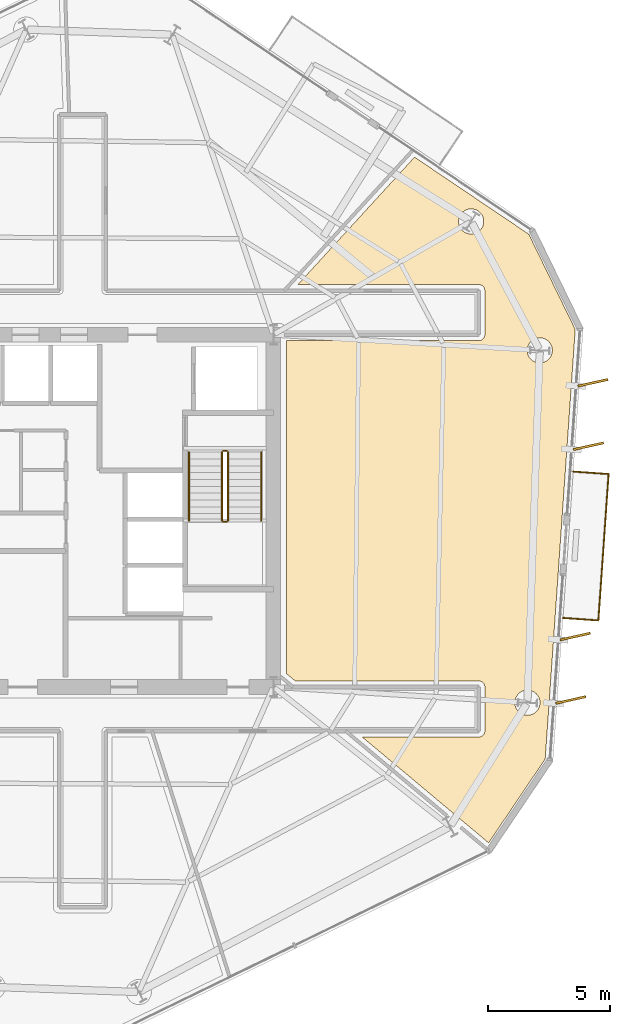
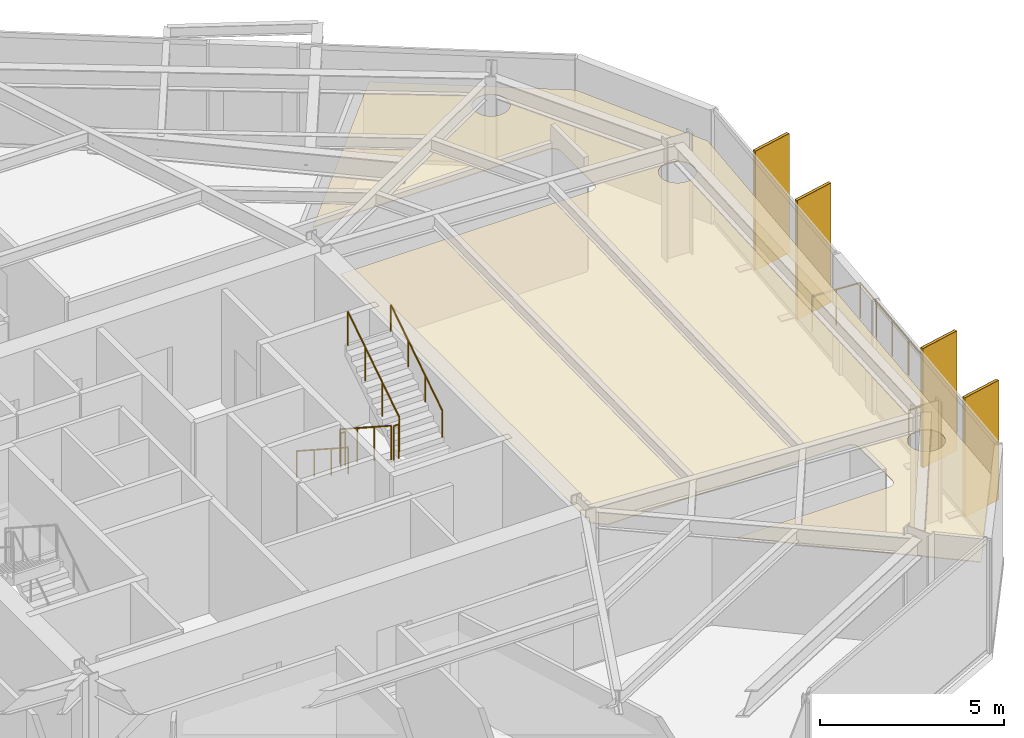
# One storey, part 13 of 14: 7 railings, 5 coverings, 4 shading devices.
"""IFC4 building model written with IfcOpenShell, lengths in metres."""

from ifc_helpers import new_model, si_unit, direction, frame, origin, origin_2d, place, context, subcontext, project, spatial, polyline, rectangle, circle, outline, extrude, material, layer, layer_set, type_object, element, save


model = new_model("IFC4")

# Units and contexts
model_context = context("Model", 3, precision=1e-05, world=origin(), true_north=direction((0.0, 1.0)))
body_context = subcontext(model_context, "Body", "Model", "MODEL_VIEW")
ifc_project = project(units=[si_unit("LENGTHUNIT", "METRE"), si_unit("AREAUNIT", "SQUARE_METRE"), si_unit("VOLUMEUNIT", "CUBIC_METRE"), si_unit("PLANEANGLEUNIT", "RADIAN"), si_unit("MASSUNIT", "GRAM", prefix="KILO")], contexts=[model_context])

# Site, building, storey
site_placement = place(None, origin())
site = spatial("IfcSite", under=ifc_project, at=site_placement, CompositionType="ELEMENT")
building_placement = place(site_placement, origin())
building = spatial("IfcBuilding", under=site, at=building_placement, Name="Kranzbogen Civic Tower", CompositionType="ELEMENT")
storey_placement = place(building_placement, frame((0.0, 0.0, 126.39990234375)))
storey = spatial("IfcBuildingStorey", under=building, at=storey_placement, Name="L30", CompositionType="ELEMENT", Elevation=126.39990234375)

# Coverings
ifc_material_1 = material(Name="Pale Anodised Aluminium", Category="aluminium")
ifc_layer_1 = layer(ifc_material_1, 0.02490234375, Name="Pale Anodised Aluminium")
ifc_layer_set_1 = layer_set([ifc_layer_1], Name="Pale Anodised Aluminium")
covering_type_1 = type_object("IfcCoveringType", Name="Anodised Aluminium Vertical Fin Cladding 25 mm", PredefinedType="CLADDING", material=ifc_layer_set_1)
for number, where, z_axis, x_axis, name in (
    (1, (44.9580078125, 17.264892578125, -0.139892578125), (0.0, 0.0, 1.0), (0.976529645679, 0.215383033477, 0.0), "L30 vertical fin pale-metal cladding F6-1"),
    (2, (45.139892578125, 19.85888671875, -0.139892578125), (0.0, 0.0, 1.0), (0.976529645679, 0.215383033477, 0.0), "L30 vertical fin pale-metal cladding F6-2"),
    (3, (45.68408203125, 27.639892578125, -0.139892578125), (0.0, 0.0, 1.0), (0.976529645679, 0.215383033477, 0.0), "L30 vertical fin pale-metal cladding F6-5"),
    (4, (45.865966796875, 30.23388671875, -0.139892578125), (0.0, 0.0, 1.0), (0.976529645679, 0.215383033477, 0.0), "L30 vertical fin pale-metal cladding F6-6"),
):
    element("IfcCovering", number, at=place(storey_placement, frame(where, z_axis=z_axis, x_axis=x_axis)), inside=storey, type_object=covering_type_1, Name=name, PredefinedType="CLADDING", context=body_context, shape_type="SweptSolid", body=[
        extrude(rectangle(XDim=1.25, YDim=0.10009765625, at=origin_2d()), origin(), (0.0, 0.0, 1.0), 3.9599609375),
    ])

# Shading devices
ifc_material_2 = material(Name="Anodised Bronze Aluminium", Category="aluminium")
shading_device_type = type_object("IfcShadingDeviceType", Name="Anodised Bronze Vertical Facade Fin 1250x80", PredefinedType="USERDEFINED", material=ifc_material_2)
for number, where, z_axis, x_axis, name in (
    (5, (44.9580078125, 17.264892578125, -0.139892578125), (0.0, 0.0, 1.0), (0.976529645679, 0.215383033477, 0.0), "L30 vertical exterior shading fin F6-1"),
    (6, (45.139892578125, 19.85888671875, -0.139892578125), (0.0, 0.0, 1.0), (0.976529645679, 0.215383033477, 0.0), "L30 vertical exterior shading fin F6-2"),
    (7, (45.68408203125, 27.639892578125, -0.139892578125), (0.0, 0.0, 1.0), (0.976529645679, 0.215383033477, 0.0), "L30 vertical exterior shading fin F6-5"),
    (8, (45.865966796875, 30.23388671875, -0.139892578125), (0.0, 0.0, 1.0), (0.976529645679, 0.215383033477, 0.0), "L30 vertical exterior shading fin F6-6"),
):
    element("IfcShadingDevice", number, at=place(storey_placement, frame(where, z_axis=z_axis, x_axis=x_axis)), inside=storey, type_object=shading_device_type, Name=name, ObjectType="FIN", PredefinedType="USERDEFINED", context=body_context, shape_type="SweptSolid", body=[
        extrude(rectangle(XDim=1.25, YDim=0.080078125, at=origin_2d()), origin(), (0.0, 0.0, 1.0), 3.9599609375),
    ])

# Railings
railing_type_1 = type_object("IfcRailingType", Name="Cantilevered Balcony Glass and Bronze Balustrade 1200", PredefinedType="BALUSTRADE", material=ifc_material_2)
railing_1_placement = place(storey_placement, frame((44.64208984375, 20.618896484375, 0.0)))
element("IfcRailing", 9, at=railing_1_placement, inside=storey, type_object=railing_type_1, Name="L30 exterior terrace balustrade L30-TB2", PredefinedType="BALUSTRADE", context=body_context, shape_type="SweptSolid", body=[
    extrude(circle(Radius=0.02392578125, at=origin_2d()), frame((0.0, 0.0, 1.17578125), z_axis=(0.997577004396, -0.06957097312, 0.0), x_axis=(0.06957097312, 0.997577004396, 0.0)), (0.0, 0.0, 1.0), 1.44921875),
    extrude(circle(Radius=0.02392578125, at=origin_2d()), frame((1.44580078125, -0.100830078125, 1.17578125), z_axis=(0.069859089027, 0.997556869397, 0.0), x_axis=(-0.997556869397, 0.069859089027, 0.0)), (0.0, 0.0, 1.0), 6.00048828125),
    extrude(circle(Radius=0.02392578125, at=origin_2d()), frame((1.864990234375, 5.885009765625, 1.17578125), z_axis=(-0.997566118474, 0.069726890604, 0.0), x_axis=(-0.069726890604, -0.997566118474, 0.0)), (0.0, 0.0, 1.0), 1.449462890625),
    extrude(circle(Radius=0.02099609375, at=origin_2d()), origin(), (0.0, 0.0, 1.0), 1.15185546875),
    extrude(circle(Radius=0.02099609375, at=origin_2d()), frame((0.722900390625, -0.05029296875, 0.0)), (0.0, 0.0, 1.0), 1.15185546875),
    extrude(circle(Radius=0.02099609375, at=origin_2d()), frame((1.44580078125, -0.100830078125, 0.0)), (0.0, 0.0, 1.0), 1.15185546875),
    extrude(circle(Radius=0.02099609375, at=origin_2d()), frame((1.515625, 0.896728515625, 0.0)), (0.0, 0.0, 1.0), 1.15185546875),
    extrude(circle(Radius=0.02099609375, at=origin_2d()), frame((1.58544921875, 1.89453125, 0.0)), (0.0, 0.0, 1.0), 1.15185546875),
    extrude(circle(Radius=0.02099609375, at=origin_2d()), frame((1.6552734375, 2.89208984375, 0.0)), (0.0, 0.0, 1.0), 1.15185546875),
    extrude(circle(Radius=0.02099609375, at=origin_2d()), frame((1.725341796875, 3.8896484375, 0.0)), (0.0, 0.0, 1.0), 1.15185546875),
    extrude(circle(Radius=0.02099609375, at=origin_2d()), frame((1.795166015625, 4.887451171875, 0.0)), (0.0, 0.0, 1.0), 1.15185546875),
    extrude(circle(Radius=0.02099609375, at=origin_2d()), frame((1.864990234375, 5.885009765625, 0.0)), (0.0, 0.0, 1.0), 1.15185546875),
    extrude(circle(Radius=0.02099609375, at=origin_2d()), frame((1.14208984375, 5.935546875, 0.0)), (0.0, 0.0, 1.0), 1.15185546875),
    extrude(circle(Radius=0.02099609375, at=origin_2d()), frame((0.4189453125, 5.986083984375, 0.0)), (0.0, 0.0, 1.0), 1.15185546875),
])
ifc_material_3 = material(Name="Steel S355", Category="steel")
railing_type_2 = type_object("IfcRailingType", Name="Internal Stair and Void Steel Guardrail 1150", PredefinedType="GUARDRAIL", material=ifc_material_3)
railing_2_placement = place(storey_placement, frame((30.699951171875, 27.39990234375, 0.181884765625)))
element("IfcRailing", 10, at=railing_2_placement, inside=storey, type_object=railing_type_2, Name="L30 ST-T2 stair guard 1", PredefinedType="GUARDRAIL", context=body_context, shape_type="SweptSolid", body=[
    extrude(circle(Radius=0.02392578125, at=origin_2d()), frame((0.0, 0.0, 1.1259765625), z_axis=(0.0, -0.83868413941, 0.544618136222), x_axis=(1.0, 0.0, 0.0)), (0.0, 0.0, 1.0), 3.33837890625),
    extrude(circle(Radius=0.02099609375, at=origin_2d()), origin(), (0.0, 0.0, 1.0), 1.101806640625),
    extrude(circle(Radius=0.02099609375, at=origin_2d()), frame((0.0, -0.933349609375, 0.60595703125)), (0.0, 0.0, 1.0), 1.101806640625),
    extrude(circle(Radius=0.02099609375, at=origin_2d()), frame((0.0, -1.866455078125, 1.212158203125)), (0.0, 0.0, 1.0), 1.101806640625),
    extrude(circle(Radius=0.02099609375, at=origin_2d()), frame((0.0, -2.7998046875, 1.818115234375)), (0.0, 0.0, 1.0), 1.101806640625),
])
railing_3_placement = place(storey_placement, frame((30.75, 24.550048828125, 2.0)))
element("IfcRailing", 11, at=railing_3_placement, inside=storey, type_object=railing_type_2, Name="L30 ST-T2 stair guard 2", PredefinedType="GUARDRAIL", context=body_context, shape_type="SweptSolid", body=[
    extrude(circle(Radius=0.02392578125, at=origin_2d()), frame((0.0, 0.0, 1.1259765625), z_axis=(1.0, 0.0, 0.0), x_axis=(0.0, 1.0, 0.0)), (0.0, 0.0, 1.0), 0.14990234375),
    extrude(circle(Radius=0.02099609375, at=origin_2d()), origin(), (0.0, 0.0, 1.0), 1.101806640625),
    extrude(circle(Radius=0.02099609375, at=origin_2d()), frame((0.14990234375, 0.0, 0.0)), (0.0, 0.0, 1.0), 1.101806640625),
])
railing_4_placement = place(storey_placement, frame((30.949951171875, 24.60009765625, 2.181884765625)))
element("IfcRailing", 12, at=railing_4_placement, inside=storey, type_object=railing_type_2, Name="L30 ST-T2 stair guard 3", PredefinedType="GUARDRAIL", context=body_context, shape_type="SweptSolid", body=[
    extrude(circle(Radius=0.02392578125, at=origin_2d()), frame((0.0, 0.0, 1.1259765625), z_axis=(0.0, 0.83868413941, 0.544618136222), x_axis=(-1.0, 0.0, 0.0)), (0.0, 0.0, 1.0), 3.33837890625),
    extrude(circle(Radius=0.02099609375, at=origin_2d()), origin(), (0.0, 0.0, 1.0), 1.101806640625),
    extrude(circle(Radius=0.02099609375, at=origin_2d()), frame((0.0, 0.933349609375, 0.60595703125)), (0.0, 0.0, 1.0), 1.101806640625),
    extrude(circle(Radius=0.02099609375, at=origin_2d()), frame((0.0, 1.866455078125, 1.212158203125)), (0.0, 0.0, 1.0), 1.101806640625),
    extrude(circle(Radius=0.02099609375, at=origin_2d()), frame((0.0, 2.7998046875, 1.818115234375)), (0.0, 0.0, 1.0), 1.101806640625),
])
railing_5_placement = place(storey_placement, frame((30.75, 27.449951171875, 0.0)))
element("IfcRailing", 13, at=railing_5_placement, inside=storey, type_object=railing_type_2, Name="L30 ST-T2 stair guard 4", PredefinedType="GUARDRAIL", context=body_context, shape_type="SweptSolid", body=[
    extrude(circle(Radius=0.02392578125, at=origin_2d()), frame((0.0, 0.0, 1.1259765625), z_axis=(1.0, 0.0, 0.0), x_axis=(0.0, 1.0, 0.0)), (0.0, 0.0, 1.0), 0.14990234375),
    extrude(circle(Radius=0.02099609375, at=origin_2d()), origin(), (0.0, 0.0, 1.0), 1.101806640625),
    extrude(circle(Radius=0.02099609375, at=origin_2d()), frame((0.14990234375, 0.0, 0.0)), (0.0, 0.0, 1.0), 1.101806640625),
])

# Covering
ifc_material_4 = material(Name="Perforated Acoustic Gypsum Ceiling")
ifc_layer_2 = layer(ifc_material_4, 0.02490234375, Name="Perforated Acoustic Gypsum Ceiling")
ifc_layer_set_2 = layer_set([ifc_layer_2], Name="Perforated Acoustic Gypsum Ceiling")
covering_type_2 = type_object("IfcCoveringType", Name="Perforated Acoustic Mineral Ceiling Tile 25 mm", PredefinedType="CEILING", material=ifc_layer_set_2)
covering_placement = place(storey_placement, frame((0.0, 0.0, 2.75)))
element("IfcCovering", 14, at=covering_placement, inside=storey, type_object=covering_type_2, Name="L30 Staff Tea Pantry acoustic ceiling", PredefinedType="CEILING", context=body_context, shape_type="SweptSolid", body=[
    extrude(outline(polyline([(41.60205078125, 11.426025390625), (40.427001953125, 12.408935546875), (40.4208984375, 12.41796875), (40.386962890625, 12.4560546875), (40.34912109375, 12.489990234375), (40.30908203125, 12.52001953125), (40.264892578125, 12.5458984375), (40.262939453125, 12.547119140625), (36.428955078125, 15.7548828125), (41.199951171875, 15.7548828125), (41.208984375, 15.7548828125), (41.215087890625, 15.756103515625), (41.23291015625, 15.757080078125), (41.239013671875, 15.758056640625), (41.256103515625, 15.761962890625), (41.262939453125, 15.762939453125), (41.280029296875, 15.76806640625), (41.285888671875, 15.77001953125), (41.302001953125, 15.777099609375), (41.30810546875, 15.780029296875), (41.322998046875, 15.7880859375), (41.3291015625, 15.7919921875), (41.343017578125, 15.801025390625), (41.347900390625, 15.804931640625), (41.362060546875, 15.81591796875), (41.366943359375, 15.821044921875), (41.37890625, 15.8330078125), (41.384033203125, 15.837890625), (41.39501953125, 15.85205078125), (41.39892578125, 15.85693359375), (41.407958984375, 15.87109375), (41.412109375, 15.876953125), (41.419921875, 15.89208984375), (41.423095703125, 15.89794921875), (41.429931640625, 15.9140625), (41.431884765625, 15.919921875), (41.43701171875, 15.93701171875), (41.43798828125, 15.944091796875), (41.44189453125, 15.9609375), (41.443115234375, 15.967041015625), (41.444091796875, 15.985107421875), (41.445068359375, 15.990966796875), (41.445068359375, 16.0), (41.445068359375, 17.800048828125), (41.445068359375, 17.80908203125), (41.444091796875, 17.81494140625), (41.443115234375, 17.8330078125), (41.44189453125, 17.839111328125), (41.43798828125, 17.85595703125), (41.43701171875, 17.863037109375), (41.431884765625, 17.8798828125), (41.429931640625, 17.885986328125), (41.423095703125, 17.902099609375), (41.419921875, 17.907958984375), (41.412109375, 17.923095703125), (41.407958984375, 17.928955078125), (41.39892578125, 17.943115234375), (41.39501953125, 17.947998046875), (41.384033203125, 17.9619140625), (41.37890625, 17.967041015625), (41.366943359375, 17.97900390625), (41.362060546875, 17.98388671875), (41.347900390625, 17.9951171875), (41.343017578125, 17.9990234375), (41.3291015625, 18.008056640625), (41.322998046875, 18.011962890625), (41.30810546875, 18.02001953125), (41.302001953125, 18.02294921875), (41.285888671875, 18.030029296875), (41.280029296875, 18.031982421875), (41.262939453125, 18.037109375), (41.256103515625, 18.0380859375), (41.239013671875, 18.0419921875), (41.23291015625, 18.04296875), (41.215087890625, 18.0439453125), (41.208984375, 18.044921875), (41.199951171875, 18.044921875), (33.693115234375, 18.044921875), (33.344970703125, 18.3359375), (33.344970703125, 31.955078125), (41.199951171875, 31.955078125), (41.208984375, 31.955078125), (41.215087890625, 31.9560546875), (41.23291015625, 31.95703125), (41.239013671875, 31.9580078125), (41.256103515625, 31.9619140625), (41.262939453125, 31.962890625), (41.280029296875, 31.968017578125), (41.285888671875, 31.969970703125), (41.302001953125, 31.97705078125), (41.30810546875, 31.97998046875), (41.322998046875, 31.988037109375), (41.3291015625, 31.991943359375), (41.343017578125, 32.0009765625), (41.347900390625, 32.0048828125), (41.362060546875, 32.01611328125), (41.366943359375, 32.02099609375), (41.37890625, 32.032958984375), (41.384033203125, 32.0380859375), (41.39501953125, 32.052001953125), (41.39892578125, 32.056884765625), (41.407958984375, 32.071044921875), (41.412109375, 32.076904296875), (41.419921875, 32.092041015625), (41.423095703125, 32.097900390625), (41.429931640625, 32.114013671875), (41.431884765625, 32.1201171875), (41.43701171875, 32.136962890625), (41.43798828125, 32.14404296875), (41.44189453125, 32.160888671875), (41.443115234375, 32.1669921875), (41.444091796875, 32.18505859375), (41.445068359375, 32.19091796875), (41.445068359375, 32.199951171875), (41.445068359375, 34.0), (41.445068359375, 34.009033203125), (41.444091796875, 34.014892578125), (41.443115234375, 34.032958984375), (41.44189453125, 34.0390625), (41.43798828125, 34.055908203125), (41.43701171875, 34.06298828125), (41.431884765625, 34.080078125), (41.429931640625, 34.0859375), (41.423095703125, 34.10205078125), (41.419921875, 34.10791015625), (41.412109375, 34.123046875), (41.407958984375, 34.12890625), (41.39892578125, 34.14306640625), (41.39501953125, 34.14794921875), (41.384033203125, 34.162109375), (41.37890625, 34.1669921875), (41.366943359375, 34.178955078125), (41.362060546875, 34.18408203125), (41.347900390625, 34.195068359375), (41.343017578125, 34.198974609375), (41.3291015625, 34.2080078125), (41.322998046875, 34.2119140625), (41.30810546875, 34.219970703125), (41.302001953125, 34.222900390625), (41.285888671875, 34.22998046875), (41.280029296875, 34.23193359375), (41.262939453125, 34.237060546875), (41.256103515625, 34.238037109375), (41.239013671875, 34.241943359375), (41.23291015625, 34.242919921875), (41.215087890625, 34.243896484375), (41.208984375, 34.2451171875), (41.199951171875, 34.2451171875), (33.800048828125, 34.2451171875), (38.572998046875, 39.45703125), (43.2451171875, 36.304931640625), (45.14208984375, 32.4169921875), (43.9130859375, 14.85205078125), (41.60205078125, 11.426025390625)]), holes=[polyline([(43.662109375, 16.958984375), (43.64111328125, 16.9140625), (43.614990234375, 16.8701171875), (43.5849609375, 16.830078125), (43.551025390625, 16.7919921875), (43.512939453125, 16.758056640625), (43.472900390625, 16.72802734375), (43.428955078125, 16.701904296875), (43.384033203125, 16.680908203125), (43.3359375, 16.6640625), (43.287109375, 16.652099609375), (43.237060546875, 16.64404296875), (43.18701171875, 16.64208984375), (43.136962890625, 16.64404296875), (43.0869140625, 16.652099609375), (43.0380859375, 16.6640625), (42.989990234375, 16.680908203125), (42.945068359375, 16.701904296875), (42.90087890625, 16.72802734375), (42.861083984375, 16.758056640625), (42.822998046875, 16.7919921875), (42.7890625, 16.830078125), (42.759033203125, 16.8701171875), (42.73291015625, 16.9140625), (42.7119140625, 16.958984375), (42.695068359375, 17.007080078125), (42.68310546875, 17.055908203125), (42.675048828125, 17.10595703125), (42.673095703125, 17.156005859375), (42.675048828125, 17.2060546875), (42.68310546875, 17.256103515625), (42.695068359375, 17.304931640625), (42.7119140625, 17.35302734375), (42.73291015625, 17.39794921875), (42.759033203125, 17.44189453125), (42.7890625, 17.48193359375), (42.822998046875, 17.52001953125), (42.861083984375, 17.553955078125), (42.90087890625, 17.583984375), (42.945068359375, 17.610107421875), (42.989990234375, 17.631103515625), (43.0380859375, 17.64794921875), (43.0869140625, 17.659912109375), (43.136962890625, 17.66796875), (43.18701171875, 17.669921875), (43.237060546875, 17.66796875), (43.287109375, 17.659912109375), (43.3359375, 17.64794921875), (43.384033203125, 17.631103515625), (43.428955078125, 17.610107421875), (43.472900390625, 17.583984375), (43.512939453125, 17.553955078125), (43.551025390625, 17.52001953125), (43.5849609375, 17.48193359375), (43.614990234375, 17.44189453125), (43.64111328125, 17.39794921875), (43.662109375, 17.35302734375), (43.678955078125, 17.304931640625), (43.69091796875, 17.256103515625), (43.698974609375, 17.2060546875), (43.700927734375, 17.156005859375), (43.698974609375, 17.10595703125), (43.69091796875, 17.055908203125), (43.678955078125, 17.007080078125), (43.662109375, 16.958984375)]), polyline([(44.1650390625, 31.35888671875), (44.14404296875, 31.31396484375), (44.117919921875, 31.27001953125), (44.087890625, 31.22998046875), (44.053955078125, 31.19189453125), (44.01611328125, 31.157958984375), (43.97607421875, 31.1279296875), (43.931884765625, 31.10205078125), (43.886962890625, 31.0810546875), (43.839111328125, 31.06396484375), (43.7900390625, 31.052001953125), (43.739990234375, 31.0439453125), (43.68994140625, 31.0419921875), (43.639892578125, 31.0439453125), (43.590087890625, 31.052001953125), (43.541015625, 31.06396484375), (43.492919921875, 31.0810546875), (43.447998046875, 31.10205078125), (43.404052734375, 31.1279296875), (43.364013671875, 31.157958984375), (43.325927734375, 31.19189453125), (43.2919921875, 31.22998046875), (43.261962890625, 31.27001953125), (43.236083984375, 31.31396484375), (43.215087890625, 31.35888671875), (43.197998046875, 31.406982421875), (43.18603515625, 31.4560546875), (43.177978515625, 31.506103515625), (43.176025390625, 31.555908203125), (43.177978515625, 31.60595703125), (43.18603515625, 31.656005859375), (43.197998046875, 31.705078125), (43.215087890625, 31.7529296875), (43.236083984375, 31.798095703125), (43.261962890625, 31.842041015625), (43.2919921875, 31.882080078125), (43.325927734375, 31.919921875), (43.364013671875, 31.9541015625), (43.404052734375, 31.98388671875), (43.447998046875, 32.010009765625), (43.492919921875, 32.031005859375), (43.541015625, 32.048095703125), (43.590087890625, 32.06005859375), (43.639892578125, 32.068115234375), (43.68994140625, 32.070068359375), (43.739990234375, 32.068115234375), (43.7900390625, 32.06005859375), (43.839111328125, 32.048095703125), (43.886962890625, 32.031005859375), (43.931884765625, 32.010009765625), (43.97607421875, 31.98388671875), (44.01611328125, 31.9541015625), (44.053955078125, 31.919921875), (44.087890625, 31.882080078125), (44.117919921875, 31.842041015625), (44.14404296875, 31.798095703125), (44.1650390625, 31.7529296875), (44.181884765625, 31.705078125), (44.194091796875, 31.656005859375), (44.201904296875, 31.60595703125), (44.2041015625, 31.555908203125), (44.201904296875, 31.506103515625), (44.194091796875, 31.4560546875), (44.181884765625, 31.406982421875), (44.1650390625, 31.35888671875)]), polyline([(41.361083984375, 36.632080078125), (41.340087890625, 36.5869140625), (41.31396484375, 36.54296875), (41.283935546875, 36.5029296875), (41.25, 36.465087890625), (41.2119140625, 36.430908203125), (41.172119140625, 36.40087890625), (41.1279296875, 36.375), (41.0830078125, 36.35400390625), (41.034912109375, 36.3369140625), (40.986083984375, 36.324951171875), (40.93603515625, 36.31689453125), (40.885986328125, 36.31494140625), (40.8359375, 36.31689453125), (40.785888671875, 36.324951171875), (40.737060546875, 36.3369140625), (40.68896484375, 36.35400390625), (40.64404296875, 36.375), (40.60009765625, 36.40087890625), (40.56005859375, 36.430908203125), (40.52197265625, 36.465087890625), (40.488037109375, 36.5029296875), (40.4580078125, 36.54296875), (40.431884765625, 36.5869140625), (40.410888671875, 36.632080078125), (40.39404296875, 36.679931640625), (40.382080078125, 36.72900390625), (40.3740234375, 36.779052734375), (40.3720703125, 36.8291015625), (40.3740234375, 36.87890625), (40.382080078125, 36.928955078125), (40.39404296875, 36.97802734375), (40.410888671875, 37.02587890625), (40.431884765625, 37.071044921875), (40.4580078125, 37.114990234375), (40.488037109375, 37.155029296875), (40.52197265625, 37.193115234375), (40.56005859375, 37.22705078125), (40.60009765625, 37.257080078125), (40.64404296875, 37.282958984375), (40.68896484375, 37.303955078125), (40.737060546875, 37.321044921875), (40.785888671875, 37.3330078125), (40.8359375, 37.341064453125), (40.885986328125, 37.343017578125), (40.93603515625, 37.341064453125), (40.986083984375, 37.3330078125), (41.034912109375, 37.321044921875), (41.0830078125, 37.303955078125), (41.1279296875, 37.282958984375), (41.172119140625, 37.257080078125), (41.2119140625, 37.22705078125), (41.25, 37.193115234375), (41.283935546875, 37.155029296875), (41.31396484375, 37.114990234375), (41.340087890625, 37.071044921875), (41.361083984375, 37.02587890625), (41.3779296875, 36.97802734375), (41.389892578125, 36.928955078125), (41.39794921875, 36.87890625), (41.39990234375, 36.8291015625), (41.39794921875, 36.779052734375), (41.389892578125, 36.72900390625), (41.3779296875, 36.679931640625), (41.361083984375, 36.632080078125)])]), origin(), (0.0, 0.0, 1.0), 0.025146484375),
])

# Railings
railing_type_3 = type_object("IfcRailingType", Name="Tubular Stainless Stair Wall Handrail 900", PredefinedType="HANDRAIL", material=ifc_material_1)
railing_6_placement = place(storey_placement, frame((29.35009765625, 27.39990234375, 0.181884765625)))
element("IfcRailing", 15, at=railing_6_placement, inside=storey, type_object=railing_type_3, Name="L30 ST-T2 stair handrail 1", PredefinedType="HANDRAIL", context=body_context, shape_type="SweptSolid", body=[
    extrude(circle(Radius=0.02392578125, at=origin_2d()), frame((0.0, 0.0, 0.8759765625), z_axis=(0.0, -0.83868413941, 0.544618136222), x_axis=(1.0, 0.0, 0.0)), (0.0, 0.0, 1.0), 3.33837890625),
    extrude(circle(Radius=0.02099609375, at=origin_2d()), origin(), (0.0, 0.0, 1.0), 0.851806640625),
    extrude(circle(Radius=0.02099609375, at=origin_2d()), frame((0.0, -0.933349609375, 0.60595703125)), (0.0, 0.0, 1.0), 0.851806640625),
    extrude(circle(Radius=0.02099609375, at=origin_2d()), frame((0.0, -1.866455078125, 1.212158203125)), (0.0, 0.0, 1.0), 0.851806640625),
    extrude(circle(Radius=0.02099609375, at=origin_2d()), frame((0.0, -2.7998046875, 1.818115234375)), (0.0, 0.0, 1.0), 0.851806640625),
])
railing_7_placement = place(storey_placement, frame((32.300048828125, 24.60009765625, 2.181884765625)))
element("IfcRailing", 16, at=railing_7_placement, inside=storey, type_object=railing_type_3, Name="L30 ST-T2 stair handrail 2", PredefinedType="HANDRAIL", context=body_context, shape_type="SweptSolid", body=[
    extrude(circle(Radius=0.02392578125, at=origin_2d()), frame((0.0, 0.0, 0.8759765625), z_axis=(0.0, 0.83868413941, 0.544618136222), x_axis=(-1.0, 0.0, 0.0)), (0.0, 0.0, 1.0), 3.33837890625),
    extrude(circle(Radius=0.02099609375, at=origin_2d()), origin(), (0.0, 0.0, 1.0), 0.851806640625),
    extrude(circle(Radius=0.02099609375, at=origin_2d()), frame((0.0, 0.933349609375, 0.60595703125)), (0.0, 0.0, 1.0), 0.851806640625),
    extrude(circle(Radius=0.02099609375, at=origin_2d()), frame((0.0, 1.866455078125, 1.212158203125)), (0.0, 0.0, 1.0), 0.851806640625),
    extrude(circle(Radius=0.02099609375, at=origin_2d()), frame((0.0, 2.7998046875, 1.818115234375)), (0.0, 0.0, 1.0), 0.851806640625),
])

save(model, "model.ifc")
